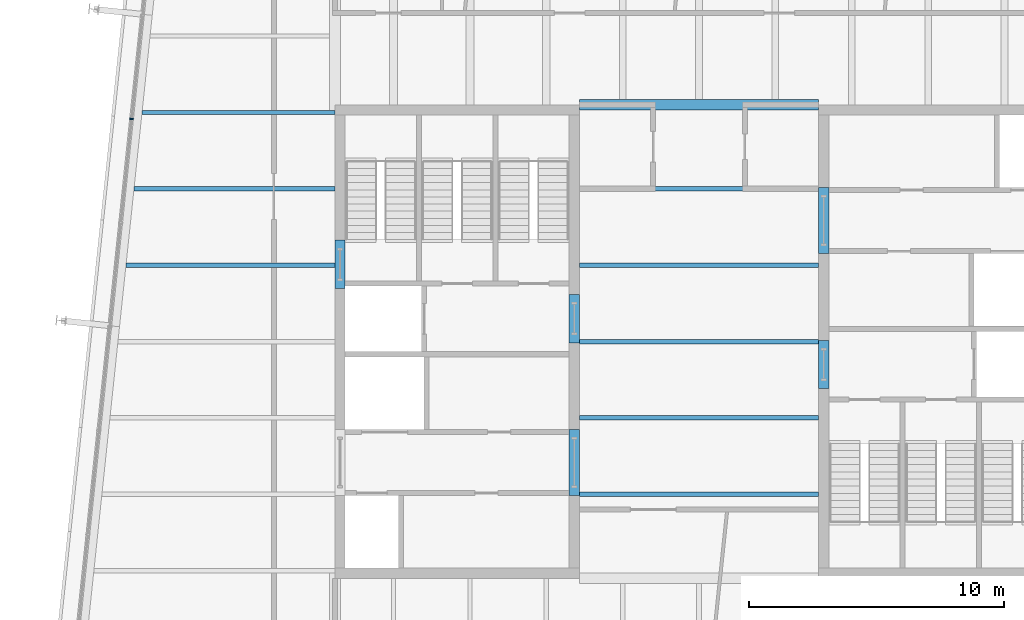
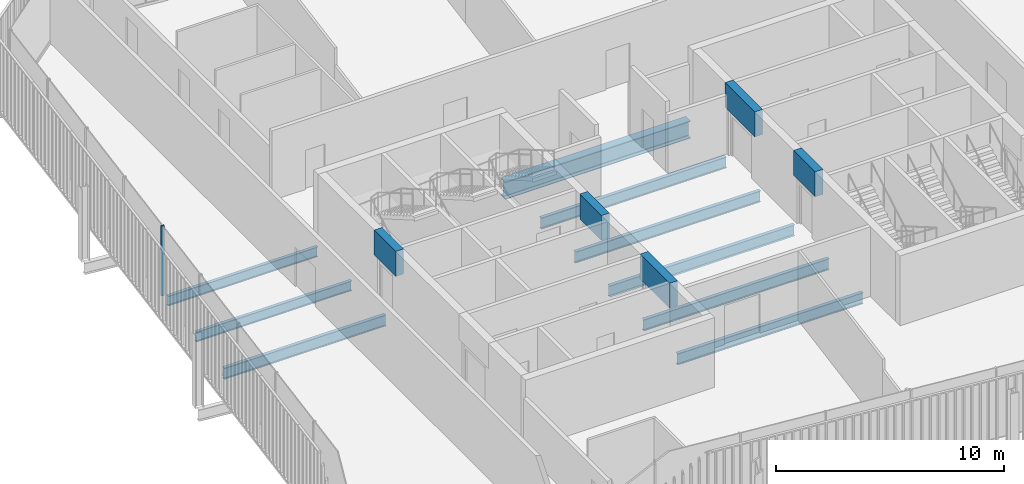
# One storey, part 8 of 20: 14 beams, 1 member, 1 element without a shape of its own.
"""IFC4 building model written with IfcOpenShell, lengths in metres."""

from ifc_helpers import new_model, si_unit, direction, frame, origin, origin_2d, place, context, subcontext, project, spatial, rectangle, i_section, extrude, material, layer, layer_set, material_profile, profile_set, type_object, element, aggregate, save


model = new_model("IFC4")

# Units and contexts
model_context = context("Model", 3, precision=1e-05, world=origin(), true_north=direction((0.0, 1.0)))
body_context = subcontext(model_context, "Body", "Model", "MODEL_VIEW")
ifc_project = project(units=[si_unit("LENGTHUNIT", "METRE"), si_unit("AREAUNIT", "SQUARE_METRE"), si_unit("VOLUMEUNIT", "CUBIC_METRE"), si_unit("PLANEANGLEUNIT", "RADIAN"), si_unit("MASSUNIT", "GRAM", prefix="KILO")], contexts=[model_context])

# Site, building, storey
site_placement = place(None, origin())
site = spatial("IfcSite", under=ifc_project, at=site_placement, CompositionType="ELEMENT")
building_placement = place(site_placement, origin())
building = spatial("IfcBuilding", under=site, at=building_placement, Name="Millrace Tower", CompositionType="ELEMENT")
storey_placement = place(building_placement, frame((0.0, 0.0, 330.39990234375)))
storey = spatial("IfcBuildingStorey", under=building, at=storey_placement, Name="L76", CompositionType="ELEMENT", Elevation=330.39990234375)

# Curtain wall, member
ifc_material_1 = material(Name="Aluminium and glass", Category="aluminium")
ifc_layer = layer(ifc_material_1, 0.14990234375)
ifc_layer_set = layer_set([ifc_layer], Name="Aluminium and glass")
curtain_wall_type = type_object("IfcCurtainWallType", Name="CW-1 office vision curtain wall", PredefinedType="NOTDEFINED", material=ifc_layer_set)
curtain_wall_placement = place(storey_placement, origin())
curtain_wall = element("IfcCurtainWall", 1, at=curtain_wall_placement, inside=storey, type_object=curtain_wall_type, Name="Curtain wall E-F08 L76", PredefinedType="NOTDEFINED")
ifc_material_2 = material(Name="Aluminium", Category="aluminium")
ifc_material_profile_1 = material_profile(ifc_material_2, rectangle(XDim=0.06494140625, YDim=0.14990234375, at=origin_2d()))
ifc_profile_set_1 = profile_set([ifc_material_profile_1], Name="Aluminium")
member_type = type_object("IfcMemberType", Name="CW-1 office vision curtain wall mullion", PredefinedType="MULLION", material=ifc_profile_set_1)
member_placement = place(storey_placement, frame((-22.2890625, 8.742431640625, 0.14013671875), z_axis=(0.0, 0.0, 1.0), x_axis=(-0.104528455196, -0.994521896217, 0.0)))
member = element("IfcMember", 2, at=member_placement, type_object=member_type, Name="CW1 mullion E-F08.5", PredefinedType="MULLION", context=body_context, shape_type="SweptSolid", body=[
    extrude(rectangle(XDim=0.06494140625, YDim=0.14990234375, at=origin_2d()), origin(), (0.0, 0.0, 1.0), 3.760009765625),
])
aggregate(curtain_wall, [member])

# Beams
ifc_material_3 = material(Name="Concrete C60", Category="concrete")
ifc_material_profile_2 = material_profile(ifc_material_3, rectangle(XDim=0.39990234375, YDim=1.340087890625, at=origin_2d()))
ifc_profile_set_2 = profile_set([ifc_material_profile_2], Name="Concrete C60")
beam_type_1 = type_object("IfcBeamType", Name="Coupling beam 400 x 1340 Concrete C60, 1300 opening", PredefinedType="BEAM", material=ifc_profile_set_2)
beam_1_placement = place(storey_placement, frame((-14.10009765625, 2.080078125, 3.070068359375), z_axis=(0.0, 1.0, 0.0), x_axis=(-1.0, 0.0, 0.0)))
element("IfcBeam", 3, at=beam_1_placement, inside=storey, type_object=beam_type_1, Name="Coupling beam W L76", PredefinedType="BEAM", context=body_context, shape_type="SweptSolid", body=[
    extrude(rectangle(XDim=0.39990234375, YDim=1.340087890625, at=origin_2d()), origin(), (0.0, 0.0, 1.0), 1.89990234375),
])
for number, where, z_axis, x_axis, name in (
    (4, (-4.89990234375, -0.050048828125, 3.070068359375), (0.0, 1.0, 0.0), (-1.0, 0.0, 0.0), "Coupling beam W L76"),
    (5, (4.89990234375, 0.050048828125, 3.070068359375), (0.0, -1.0, 0.0), (1.0, 0.0, 0.0), "Coupling beam E L76"),
):
    element("IfcBeam", number, at=place(storey_placement, frame(where, z_axis=z_axis, x_axis=x_axis)), inside=storey, type_object=beam_type_1, Name=name, PredefinedType="BEAM", context=body_context, shape_type="SweptSolid", body=[
        extrude(rectangle(XDim=0.39990234375, YDim=1.340087890625, at=origin_2d()), origin(), (0.0, 0.0, 1.0), 1.900146484375),
    ])
ifc_material_4 = material(Name="Concrete C60", Category="concrete")
ifc_material_profile_3 = material_profile(ifc_material_4, rectangle(XDim=0.39990234375, YDim=1.340087890625, at=origin_2d()))
ifc_profile_set_3 = profile_set([ifc_material_profile_3], Name="Concrete C60")
beam_type_2 = type_object("IfcBeamType", Name="Coupling beam 400 x 1340 Concrete C60, 2000 opening", PredefinedType="BEAM", material=ifc_profile_set_3)
for number, where, z_axis, x_axis, name in (
    (6, (-4.89990234375, -6.050048828125, 3.070068359375), (0.0, 1.0, 0.0), (-1.0, 0.0, 0.0), "Coupling beam W L76"),
    (7, (4.89990234375, 6.050048828125, 3.070068359375), (0.0, -1.0, 0.0), (1.0, 0.0, 0.0), "Coupling beam E L76"),
):
    element("IfcBeam", number, at=place(storey_placement, frame(where, z_axis=z_axis, x_axis=x_axis)), inside=storey, type_object=beam_type_2, Name=name, PredefinedType="BEAM", context=body_context, shape_type="SweptSolid", body=[
        extrude(rectangle(XDim=0.39990234375, YDim=1.340087890625, at=origin_2d()), origin(), (0.0, 0.0, 1.0), 2.60009765625),
    ])
ifc_material_5 = material(Name="Steel ASTM A992 Grade 50", Category="steel")
ifc_material_profile_4 = material_profile(ifc_material_5, i_section(OverallWidth=0.1650390625, OverallDepth=0.52587890625, WebThickness=0.0087890625, FlangeThickness=0.011474609375, FilletRadius=0.0126953125, at=origin_2d()))
ifc_profile_set_4 = profile_set([ifc_material_profile_4], Name="Steel ASTM A992 Grade 50")
beam_type_3 = type_object("IfcBeamType", Name="Floor beam W21x44", PredefinedType="JOIST", material=ifc_profile_set_4)
beam_2_placement = place(storey_placement, frame((-22.19287109375, 6.0, -0.4228515625), z_axis=(1.0, 0.0, 0.0), x_axis=(0.0, 1.0, 0.0)))
element("IfcBeam", 8, at=beam_2_placement, inside=storey, type_object=beam_type_3, Name="BM-E-L76-S1-S021", PredefinedType="JOIST", context=body_context, shape_type="SweptSolid", body=[
    extrude(i_section(OverallWidth=0.1650390625, OverallDepth=0.52587890625, WebThickness=0.0087890625, FlangeThickness=0.011474609375, FilletRadius=0.0126953125, at=origin_2d()), origin(), (0.0, 0.0, 1.0), 7.892822265625),
])
beam_3_placement = place(storey_placement, frame((-21.87744140625, 9.0, -0.4228515625), z_axis=(1.0, 0.0, 0.0), x_axis=(0.0, 1.0, 0.0)))
element("IfcBeam", 9, at=beam_3_placement, inside=storey, type_object=beam_type_3, Name="BM-E-L76-S1-S023", PredefinedType="JOIST", context=body_context, shape_type="SweptSolid", body=[
    extrude(i_section(OverallWidth=0.1650390625, OverallDepth=0.52587890625, WebThickness=0.0087890625, FlangeThickness=0.011474609375, FilletRadius=0.0126953125, at=origin_2d()), origin(), (0.0, 0.0, 1.0), 7.577392578125),
])
ifc_material_6 = material(Name="Steel ASTM A992 Grade 50", Category="steel")
ifc_material_profile_5 = material_profile(ifc_material_6, i_section(OverallWidth=0.177978515625, OverallDepth=0.599365234375, WebThickness=0.010009765625, FlangeThickness=0.012939453125, FilletRadius=0.012939453125, at=origin_2d()))
ifc_profile_set_5 = profile_set([ifc_material_profile_5], Name="Steel ASTM A992 Grade 50")
beam_type_4 = type_object("IfcBeamType", Name="Floor beam W24x55", PredefinedType="JOIST", material=ifc_profile_set_5)
for number, where, z_axis, x_axis, name in (
    (10, (-4.699951171875, -6.0, -0.459716796875), (1.0, 0.0, 0.0), (0.0, 1.0, 0.0), "BM-E-L76-S1-S008"),
    (11, (-4.699951171875, -3.0, -0.459716796875), (1.0, 0.0, 0.0), (0.0, 1.0, 0.0), "BM-E-L76-S1-S011"),
    (12, (-4.699951171875, 0.0, -0.459716796875), (1.0, 0.0, 0.0), (0.0, 1.0, 0.0), "BM-E-L76-S1-S014"),
    (13, (-4.699951171875, 3.0, -0.459716796875), (1.0, 0.0, 0.0), (0.0, 1.0, 0.0), "BM-E-L76-S1-S017"),
):
    element("IfcBeam", number, at=place(storey_placement, frame(where, z_axis=z_axis, x_axis=x_axis)), inside=storey, type_object=beam_type_4, Name=name, PredefinedType="JOIST", context=body_context, shape_type="SweptSolid", body=[
        extrude(i_section(OverallWidth=0.177978515625, OverallDepth=0.599365234375, WebThickness=0.010009765625, FlangeThickness=0.012939453125, FilletRadius=0.012939453125, at=origin_2d()), origin(), (0.0, 0.0, 1.0), 9.39990234375),
    ])
beam_4_placement = place(storey_placement, frame((-22.508056640625, 3.0, -0.459716796875), z_axis=(1.0, 0.0, 0.0), x_axis=(0.0, 1.0, 0.0)))
element("IfcBeam", 14, at=beam_4_placement, inside=storey, type_object=beam_type_4, Name="BM-E-L76-S1-S018", PredefinedType="JOIST", context=body_context, shape_type="SweptSolid", body=[
    extrude(i_section(OverallWidth=0.177978515625, OverallDepth=0.599365234375, WebThickness=0.010009765625, FlangeThickness=0.012939453125, FilletRadius=0.012939453125, at=origin_2d()), origin(), (0.0, 0.0, 1.0), 8.2080078125),
])
beam_5_placement = place(storey_placement, frame((-4.699951171875, 6.0, -0.459716796875), z_axis=(1.0, 0.0, 0.0), x_axis=(0.0, 1.0, 0.0)))
element("IfcBeam", 15, at=beam_5_placement, inside=storey, type_object=beam_type_4, Name="BM-E-L76-S1-S020", PredefinedType="JOIST", context=body_context, shape_type="SweptSolid", body=[
    extrude(i_section(OverallWidth=0.177978515625, OverallDepth=0.599365234375, WebThickness=0.010009765625, FlangeThickness=0.012939453125, FilletRadius=0.012939453125, at=origin_2d()), origin(), (0.0, 0.0, 1.0), 9.39990234375),
])
ifc_material_7 = material(Name="Steel ASTM A992 Grade 50", Category="steel")
ifc_material_profile_6 = material_profile(ifc_material_7, i_section(OverallWidth=0.419189453125, OverallDepth=0.927001953125, WebThickness=0.019287109375, FlangeThickness=0.031982421875, FilletRadius=0.024169921875, at=origin_2d()))
ifc_profile_set_6 = profile_set([ifc_material_profile_6], Name="Steel ASTM A992 Grade 50")
beam_type_5 = type_object("IfcBeamType", Name="Girder short span W36x231", PredefinedType="BEAM", material=ifc_profile_set_6)
beam_6_placement = place(storey_placement, frame((-4.699951171875, 9.300048828125, -0.62353515625), z_axis=(1.0, 0.0, 0.0), x_axis=(0.0, 1.0, 0.0)))
element("IfcBeam", 16, at=beam_6_placement, inside=storey, type_object=beam_type_5, Name="BM-E-L76-S1-G058", PredefinedType="BEAM", context=body_context, shape_type="SweptSolid", body=[
    extrude(i_section(OverallWidth=0.419189453125, OverallDepth=0.927001953125, WebThickness=0.019287109375, FlangeThickness=0.031982421875, FilletRadius=0.024169921875, at=origin_2d()), origin(), (0.0, 0.0, 1.0), 9.39990234375),
])

save(model, "model.ifc")
